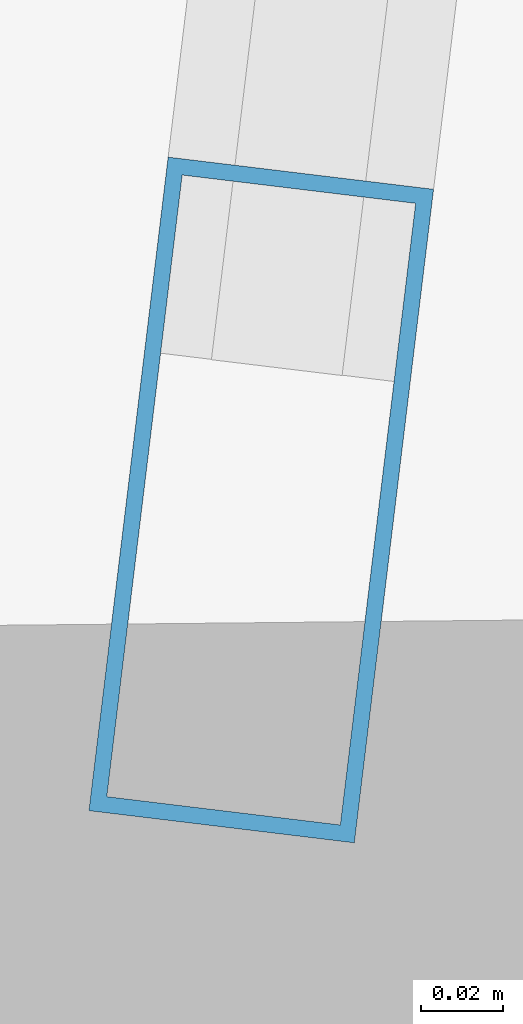
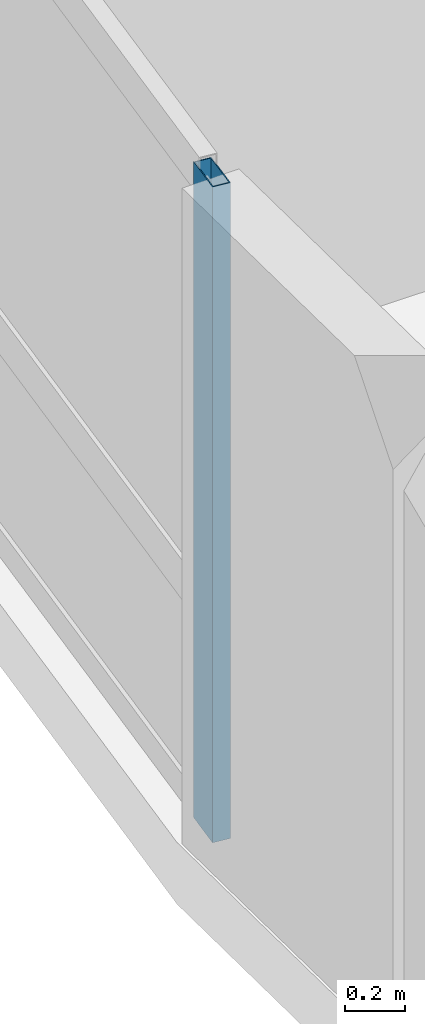
# One storey, part 2 of 26: 1 member, 1 element without a shape of its own.
"""IFC4 building model written with IfcOpenShell, lengths in metres."""

from ifc_helpers import new_model, si_unit, direction, frame, origin, origin_2d, place, context, subcontext, project, spatial, hollow_rectangle, extrude, material, layer, layer_set, material_profile, profile_set, type_object, element, aggregate, save


model = new_model("IFC4")

# Units and contexts
model_context = context("Model", 3, precision=1e-05, world=origin(), true_north=direction((0.0, 1.0)))
body_context = subcontext(model_context, "Body", "Model", "MODEL_VIEW")
ifc_project = project(units=[si_unit("LENGTHUNIT", "METRE"), si_unit("AREAUNIT", "SQUARE_METRE"), si_unit("VOLUMEUNIT", "CUBIC_METRE"), si_unit("PLANEANGLEUNIT", "RADIAN"), si_unit("MASSUNIT", "GRAM", prefix="KILO")], contexts=[model_context])

# Site, building, storey
site_placement = place(None, origin())
site = spatial("IfcSite", under=ifc_project, at=site_placement, CompositionType="ELEMENT")
building_placement = place(site_placement, origin())
building = spatial("IfcBuilding", under=site, at=building_placement, Name="Varnelok Gate Tower", CompositionType="ELEMENT")
storey_placement = place(building_placement, frame((0.0, 0.0, 158.699951171875)))
storey = spatial("IfcBuildingStorey", under=building, at=storey_placement, Name="L40", CompositionType="ELEMENT", Elevation=158.699951171875)

# Curtain wall, member
ifc_material = material(Name="Anodized Aluminum Alloy 6063-T6", Category="aluminium")
ifc_layer = layer(ifc_material, 0.179931640625)
ifc_layer_set = layer_set([ifc_layer], Name="Anodized Aluminum Alloy 6063-T6")
curtain_wall_type = type_object("IfcCurtainWallType", Name="CW3-HOTEL-VISION", PredefinedType="USERDEFINED", material=ifc_layer_set)
curtain_wall_placement = place(storey_placement, origin())
curtain_wall = element("IfcCurtainWall", 1, at=curtain_wall_placement, inside=storey, type_object=curtain_wall_type, Name="L40 West End Vision Curtain Wall", ObjectType="UNITISED CURTAIN WALL", PredefinedType="USERDEFINED")
ifc_material_profile = material_profile(ifc_material, hollow_rectangle(XDim=0.06494140625, YDim=0.159912109375, WallThickness=0.00390625, at=origin_2d()), Name="ALU160X65X4")
ifc_profile_set = profile_set([ifc_material_profile], Name="Anodized Aluminum Alloy 6063-T6")
member_type = type_object("IfcMemberType", Name="CW-MULL-160", PredefinedType="MULLION", material=ifc_profile_set)
member_placement = place(storey_placement, frame((0.2470703125, 11.923095703125, 0.0), z_axis=(0.0, 0.0, 1.0), x_axis=(-0.99273188146, 0.120347046212, 0.0)))
member = element("IfcMember", 2, at=member_placement, type_object=member_type, Name="CW3 mullion 1", PredefinedType="MULLION", context=body_context, shape_type="SweptSolid", body=[
    extrude(hollow_rectangle(XDim=0.06494140625, YDim=0.159912109375, WallThickness=0.00390625, at=origin_2d()), origin(), (0.0, 0.0, 1.0), 2.66015625),
])
aggregate(curtain_wall, [member])

save(model, "model.ifc")
